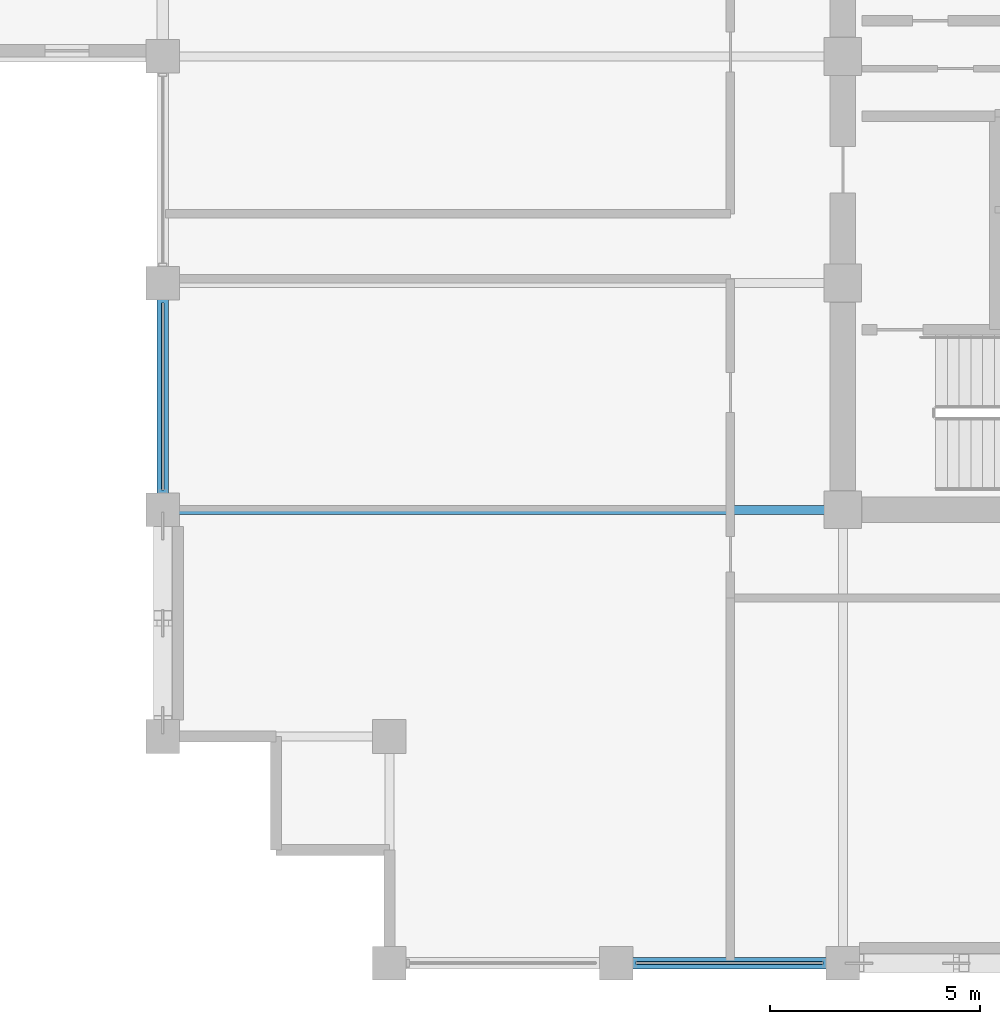
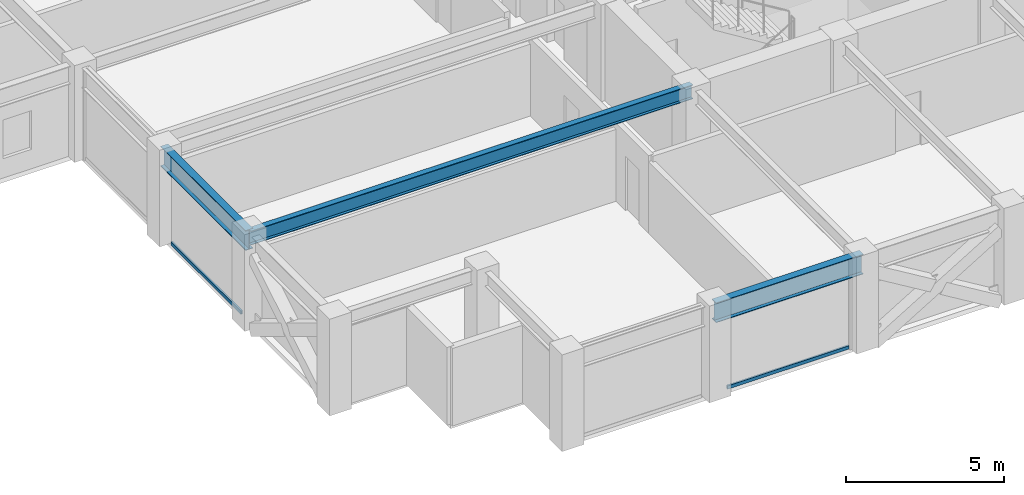
# One storey, part 3 of 28: 3 beams, 2 members, 2 elements without a shape of their own.
"""IFC4 building model written with IfcOpenShell, lengths in metres."""

import ifcopenshell
import ifcopenshell.guid

model = None  # the IFC model being written
_history = None  # IfcOwnerHistory: only IFC2X3 demands one
_inside = {}  # id of a spatial element -> (the spatial element, [elements in it])
_under = {}  # id of a project, library or spatial element -> (it, [spatial elements below it])
_declared = {}  # id of a project -> (the project, [libraries it declares])
_typed = {}  # id of a type object -> (the type object, [elements of that type])
_made_of = {}  # id of a material, layer set ... -> (it, [elements and type objects made of it])


def new_model(schema):
    """Start an empty IFC model of exactly this schema.

    Asked for "IFC4X3", IfcOpenShell would pick the latest addendum, in which some entities
    have other attributes; the version numbers below select the first issue.
    IFC2X3 requires an IfcOwnerHistory on every rooted entity: one is made here for all.
    """
    global model, _history
    if schema == "IFC4X3":
        model = ifcopenshell.file(schema_version=(4, 3, 0, 0))
    else:
        model = ifcopenshell.file(schema=schema)
    _inside.clear()
    _under.clear()
    _declared.clear()
    _typed.clear()
    _made_of.clear()
    _history = None
    if model.schema == "IFC2X3":
        org = make("IfcOrganization", Name="unknown")
        user = make(
            "IfcPersonAndOrganization",
            ThePerson=make("IfcPerson", FamilyName="unknown"),
            TheOrganization=org,
        )
        app = make(
            "IfcApplication",
            ApplicationDeveloper=org,
            Version="unknown",
            ApplicationFullName="unknown",
            ApplicationIdentifier="unknown",
        )
        _history = make(
            "IfcOwnerHistory",
            OwningUser=user,
            OwningApplication=app,
            ChangeAction="ADDED",
            CreationDate=0,
        )
    return model


def make(cls, **values):
    """One entity of the class cls with the attributes given. An attribute that is None is left unset."""
    return model.create_entity(
        cls, **{name: value for name, value in values.items() if value is not None}
    )


def rooted(cls, **values):
    """An entity with a GlobalId (a new one), such as an element, a storey or a relation."""
    return make(cls, GlobalId=ifcopenshell.guid.new(), OwnerHistory=_history, **values)


def si_unit(unit_type, name, prefix=None):
    """IfcSIUnit, for example si_unit("LENGTHUNIT", "METRE", prefix="MILLI")."""
    return make("IfcSIUnit", UnitType=unit_type, Prefix=prefix, Name=name)


def assignment(units):
    """IfcUnitAssignment: the units of a project."""
    return None if units is None else make("IfcUnitAssignment", Units=units)


def point(xyz):
    """IfcCartesianPoint."""
    return None if xyz is None else make("IfcCartesianPoint", Coordinates=xyz)


def direction(xyz):
    """IfcDirection."""
    return None if xyz is None else make("IfcDirection", DirectionRatios=xyz)


def frame(location, z_axis=None, x_axis=None):
    """IfcAxis2Placement3D, a coordinate frame: its origin and axes. An axis left out is left unset."""
    return make(
        "IfcAxis2Placement3D",
        Location=point(location),
        Axis=direction(z_axis),
        RefDirection=direction(x_axis),
    )


def frame_2d(location, x_axis=None):
    """IfcAxis2Placement2D, a coordinate frame in the plane: its origin and x axis."""
    return make(
        "IfcAxis2Placement2D", Location=point(location), RefDirection=direction(x_axis)
    )


def origin():
    """The frame at (0, 0, 0) with its axes left unset."""
    return frame((0.0, 0.0, 0.0))


def origin_2d():
    """The frame at (0, 0) in the plane with its x axis left unset."""
    return frame_2d((0.0, 0.0))


def place(relative_to, where):
    """IfcLocalPlacement: puts the frame where relative to a parent placement (None: the world)."""
    return make(
        "IfcLocalPlacement", PlacementRelTo=relative_to, RelativePlacement=where
    )


def context(
    kind, dimensions, precision=None, world=None, true_north=None, identifier=None
):
    """IfcGeometricRepresentationContext, for example the 3D "Model" context."""
    return make(
        "IfcGeometricRepresentationContext",
        ContextIdentifier=identifier,
        ContextType=kind,
        CoordinateSpaceDimension=dimensions,
        Precision=precision,
        WorldCoordinateSystem=world,
        TrueNorth=true_north,
    )


def subcontext(parent, identifier, kind, view, scale=None):
    """IfcGeometricRepresentationSubContext, for example "Body" below "Model"."""
    return make(
        "IfcGeometricRepresentationSubContext",
        ContextIdentifier=identifier,
        ContextType=kind,
        ParentContext=parent,
        TargetScale=scale,
        TargetView=view,
    )


def project(units=None, contexts=None):
    """IfcProject with its units and contexts."""
    return rooted(
        "IfcProject",
        Name="project",
        RepresentationContexts=contexts,
        UnitsInContext=assignment(units),
    )


def spatial(cls, under=None, at=None, **own):
    """A site, building, storey or space (cls), placed at a placement, below another one or the project."""
    s = rooted(cls, ObjectPlacement=at, **own)
    if under is not None:
        _under.setdefault(under.id(), (under, []))[1].append(s)
    return s


def profile(cls, at=None, kind="AREA", **sizes):
    """A parametric profile (cls). Its sizes go by their IFC names, for example OverallWidth=200.0."""
    return make(cls, ProfileType=kind, Position=at, **sizes)


def hollow_rectangle(**sizes):
    """IfcRectangleHollowProfileDef."""
    return profile("IfcRectangleHollowProfileDef", **sizes)


def i_section(**sizes):
    """IfcIShapeProfileDef."""
    return profile("IfcIShapeProfileDef", **sizes)


def extrude(swept, where, along, depth):
    """IfcExtrudedAreaSolid: the profile swept, set in the frame where, extruded along a direction by depth."""
    return make(
        "IfcExtrudedAreaSolid",
        SweptArea=swept,
        Position=where,
        ExtrudedDirection=direction(along),
        Depth=depth,
    )


def shape(context_of_items, identifier, shape_type, items):
    """IfcShapeRepresentation: the items that make up one representation, for example the "Body"."""
    return make(
        "IfcShapeRepresentation",
        ContextOfItems=context_of_items,
        RepresentationIdentifier=identifier,
        RepresentationType=shape_type,
        Items=items,
    )


def material(Name=None, Category=None):
    """IfcMaterial."""
    return make("IfcMaterial", Name=Name, Category=Category)


def layer(
    of_material, thickness, ventilated=None, Name=None, Category=None, Priority=None
):
    """IfcMaterialLayer: one layer of a wall or slab, of a material (None: an air gap)."""
    return make(
        "IfcMaterialLayer",
        Material=of_material,
        LayerThickness=thickness,
        IsVentilated=ventilated,
        Name=Name,
        Category=Category,
        Priority=Priority,
    )


def layer_set(layers, Name=None):
    """IfcMaterialLayerSet."""
    return make("IfcMaterialLayerSet", MaterialLayers=layers, LayerSetName=Name)


def material_profile(
    of_material, cross_section, Name=None, Category=None, Priority=None
):
    """IfcMaterialProfile: a cross section and its material."""
    return make(
        "IfcMaterialProfile",
        Name=Name,
        Material=of_material,
        Profile=cross_section,
        Priority=Priority,
        Category=Category,
    )


def profile_set(profiles, Name=None, composite=None):
    """IfcMaterialProfileSet."""
    return make(
        "IfcMaterialProfileSet",
        Name=Name,
        MaterialProfiles=profiles,
        CompositeProfile=composite,
    )


def made_of(thing, what):
    """Note that an element or type object is made of a material, layer set ...; save() writes the relation."""
    if what is not None:
        _made_of.setdefault(what.id(), (what, []))[1].append(thing)
    return thing


def type_object(cls, material=None, **own):
    """A type object (cls), such as IfcWallType, which elements share."""
    return made_of(rooted(cls, **own), material)


def element(
    cls,
    number,
    at=None,
    inside=None,
    cuts=None,
    type_object=None,
    material=None,
    context=None,
    identifier="Body",
    shape_type=None,
    held_by="IfcProductDefinitionShape",
    body=None,
    shapes=None,
    **own,
):
    """One element of the class cls, such as IfcWall. Its Tag is "e" and its number.

    at: its placement. inside: the storey or other place that contains it. cuts: it is an
    opening in that element (IfcRelVoidsElement). A single representation is given by context,
    identifier, shape_type and body (its items); several are given by shapes. held_by: the class
    of the entity that holds the representations. save() writes the other relations.
    """
    e = rooted(cls, Tag="e%d" % number, ObjectPlacement=at, **own)
    if body is not None:
        shapes = [shape(context, identifier, shape_type, body)]
    if shapes is not None:
        e.Representation = make(held_by, Representations=shapes)
    if inside is not None:
        _inside.setdefault(inside.id(), (inside, []))[1].append(e)
    if cuts is not None:
        rooted(
            "IfcRelVoidsElement", RelatingBuildingElement=cuts, RelatedOpeningElement=e
        )
    if type_object is not None:
        _typed.setdefault(type_object.id(), (type_object, []))[1].append(e)
    return made_of(e, material)


def aggregate(whole, parts):
    """IfcRelAggregates: a whole, such as a stair, and the parts it consists of."""
    return rooted("IfcRelAggregates", RelatingObject=whole, RelatedObjects=parts)


def save(model, path):
    """Write the relations noted so far, then the file.

    IfcRelAggregates (storeys below a building ...), IfcRelContainedInSpatialStructure (elements
    in a storey), IfcRelDefinesByType, IfcRelAssociatesMaterial and IfcRelDeclares: one each for
    every whole, place, type object, material and project.
    """
    for whole, parts in _under.values():
        aggregate(whole, parts)
    for where, things in _inside.values():
        rooted(
            "IfcRelContainedInSpatialStructure",
            RelatedElements=things,
            RelatingStructure=where,
        )
    for kind, things in _typed.values():
        rooted("IfcRelDefinesByType", RelatedObjects=things, RelatingType=kind)
    for what, things in _made_of.values():
        rooted("IfcRelAssociatesMaterial", RelatedObjects=things, RelatingMaterial=what)
    for by, libraries in _declared.values():
        rooted("IfcRelDeclares", RelatingContext=by, RelatedDefinitions=libraries)
    model.write(path)


model = new_model("IFC4")

# Units and contexts
model_context = context("Model", 3, precision=1e-05, world=origin(), true_north=direction((0.0, 1.0)))
body_context = subcontext(model_context, "Body", "Model", "MODEL_VIEW")
ifc_project = project(units=[si_unit("LENGTHUNIT", "METRE"), si_unit("AREAUNIT", "SQUARE_METRE"), si_unit("VOLUMEUNIT", "CUBIC_METRE"), si_unit("PLANEANGLEUNIT", "RADIAN"), si_unit("MASSUNIT", "GRAM", prefix="KILO")], contexts=[model_context])

# Site, building, storey
site_placement = place(None, origin())
site = spatial("IfcSite", under=ifc_project, at=site_placement, CompositionType="ELEMENT")
building_placement = place(site_placement, origin())
building = spatial("IfcBuilding", under=site, at=building_placement, Name="Surkhivell Harbour Commons", CompositionType="ELEMENT")
storey_placement = place(building_placement, frame((0.0, 0.0, 242.25)))
storey = spatial("IfcBuildingStorey", under=building, at=storey_placement, Name="L63", CompositionType="ELEMENT", Elevation=242.25)

# Beams
ifc_material_1 = material(Name="Steel S355", Category="steel")
ifc_material_profile_1 = material_profile(ifc_material_1, i_section(OverallWidth=0.2119140625, OverallDepth=0.5439453125, WebThickness=0.0126953125, FlangeThickness=0.021240234375, at=origin_2d()), Name="UB533x210x122")
ifc_profile_set_1 = profile_set([ifc_material_profile_1], Name="Steel S355")
beam_type_1 = type_object("IfcBeamType", Name="BM-GRD-533A", PredefinedType="BEAM", material=ifc_profile_set_1)
beam_1_placement = place(storey_placement, frame((-27.0, -10.800048828125, 3.298095703125), z_axis=(1.0, 0.0, 0.0), x_axis=(0.0, 1.0, 0.0)))
element("IfcBeam", 1, at=beam_1_placement, inside=storey, type_object=beam_type_1, Name="L63 Floor Girder (-27.0,-10.8)", PredefinedType="BEAM", context=body_context, shape_type="SweptSolid", body=[
    extrude(i_section(OverallWidth=0.2119140625, OverallDepth=0.5439453125, WebThickness=0.0126953125, FlangeThickness=0.021240234375, at=origin_2d()), origin(), (0.0, 0.0, 1.0), 16.199951171875),
])
ifc_material_profile_2 = material_profile(ifc_material_1, i_section(OverallWidth=0.26806640625, OverallDepth=0.77001953125, WebThickness=0.015625, FlangeThickness=0.025390625, at=origin_2d()), Name="UB762x267x197")
ifc_profile_set_2 = profile_set([ifc_material_profile_2], Name="Steel S355")
beam_type_2 = type_object("IfcBeamType", Name="BM-SPN-762", PredefinedType="SPANDREL", material=ifc_profile_set_2)
beam_2_placement = place(storey_placement, frame((-27.0, -10.800048828125, 3.18505859375), z_axis=(0.0, 1.0, 0.0), x_axis=(-1.0, 0.0, 0.0)))
element("IfcBeam", 2, at=beam_2_placement, inside=storey, type_object=beam_type_2, Name="L63 Tube Spandrel (-27.0,-10.8)", PredefinedType="SPANDREL", context=body_context, shape_type="SweptSolid", body=[
    extrude(i_section(OverallWidth=0.26806640625, OverallDepth=0.77001953125, WebThickness=0.015625, FlangeThickness=0.025390625, at=origin_2d()), origin(), (0.0, 0.0, 1.0), 5.400146484375),
])
beam_3_placement = place(storey_placement, frame((-16.199951171875, -21.60009765625, 3.18505859375), z_axis=(1.0, 0.0, 0.0), x_axis=(0.0, 1.0, 0.0)))
element("IfcBeam", 3, at=beam_3_placement, inside=storey, type_object=beam_type_2, Name="L63 Tube Spandrel (-16.2,-21.6)", PredefinedType="SPANDREL", context=body_context, shape_type="SweptSolid", body=[
    extrude(i_section(OverallWidth=0.26806640625, OverallDepth=0.77001953125, WebThickness=0.015625, FlangeThickness=0.025390625, at=origin_2d()), origin(), (0.0, 0.0, 1.0), 5.39990234375),
])

# Curtain wall, member
ifc_material_2 = material(Name="Anodised pale-metal aluminium and insulated glazing", Category="aluminium")
ifc_layer = layer(ifc_material_2, 0.18994140625)
ifc_layer_set = layer_set([ifc_layer], Name="Anodised pale-metal aluminium and insulated glazing")
curtain_wall_type = type_object("IfcCurtainWallType", Name="CW-SYS-Z3", PredefinedType="NOTDEFINED", material=ifc_layer_set)
curtain_wall_1_placement = place(storey_placement, origin())
curtain_wall_1 = element("IfcCurtainWall", 4, at=curtain_wall_1_placement, inside=storey, type_object=curtain_wall_type, Name="L63 Curtain Wall CW-L63-E00S1", PredefinedType="NOTDEFINED")
ifc_material_3 = material(Name="Champagne anodised aluminium alloy 6063-T6", Category="aluminium")
ifc_material_profile_3 = material_profile(ifc_material_3, hollow_rectangle(XDim=0.070068359375, YDim=0.1298828125, WallThickness=0.00341796875, at=origin_2d()), Name="ALU-TRAN-70x130")
ifc_profile_set_3 = profile_set([ifc_material_profile_3], Name="Champagne anodised aluminium alloy 6063-T6")
member_type = type_object("IfcMemberType", Name="CWT-130", PredefinedType="USERDEFINED", material=ifc_profile_set_3)
member_1_placement = place(storey_placement, frame((-15.722900390625, -21.60009765625, 0.06494140625), z_axis=(1.0, 0.0, 0.0), x_axis=(0.0, 1.0, 0.0)))
member_1 = element("IfcMember", 5, at=member_1_placement, type_object=member_type, Name="CW-Z3 transom 2.1", ObjectType="TRANSOM", PredefinedType="USERDEFINED", context=body_context, shape_type="SweptSolid", body=[
    extrude(hollow_rectangle(XDim=0.070068359375, YDim=0.1298828125, WallThickness=0.00341796875, at=origin_2d()), origin(), (0.0, 0.0, 1.0), 4.44580078125),
])
aggregate(curtain_wall_1, [member_1])

curtain_wall_2_placement = place(storey_placement, origin())
curtain_wall_2 = element("IfcCurtainWall", 6, at=curtain_wall_2_placement, inside=storey, type_object=curtain_wall_type, Name="L63 Curtain Wall CW-L63-E12R1S1", PredefinedType="NOTDEFINED")
member_2_placement = place(storey_placement, frame((-27.0, -10.322998046875, 0.06494140625), z_axis=(0.0, 1.0, 0.0), x_axis=(-1.0, 0.0, 0.0)))
member_2 = element("IfcMember", 7, at=member_2_placement, type_object=member_type, Name="CW-Z3 transom 1.1", ObjectType="TRANSOM", PredefinedType="USERDEFINED", context=body_context, shape_type="SweptSolid", body=[
    extrude(hollow_rectangle(XDim=0.070068359375, YDim=0.1298828125, WallThickness=0.00341796875, at=origin_2d()), origin(), (0.0, 0.0, 1.0), 4.446044921875),
])
aggregate(curtain_wall_2, [member_2])

save(model, "model.ifc")
